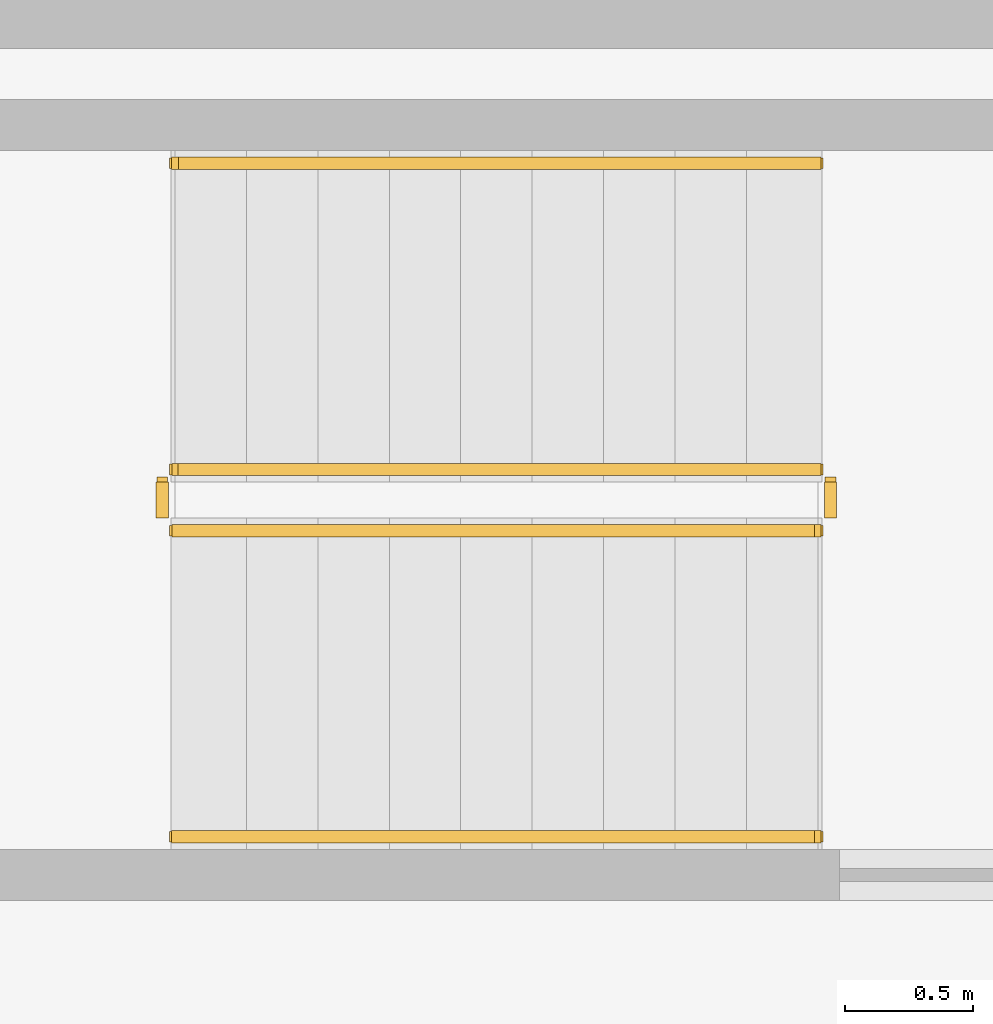
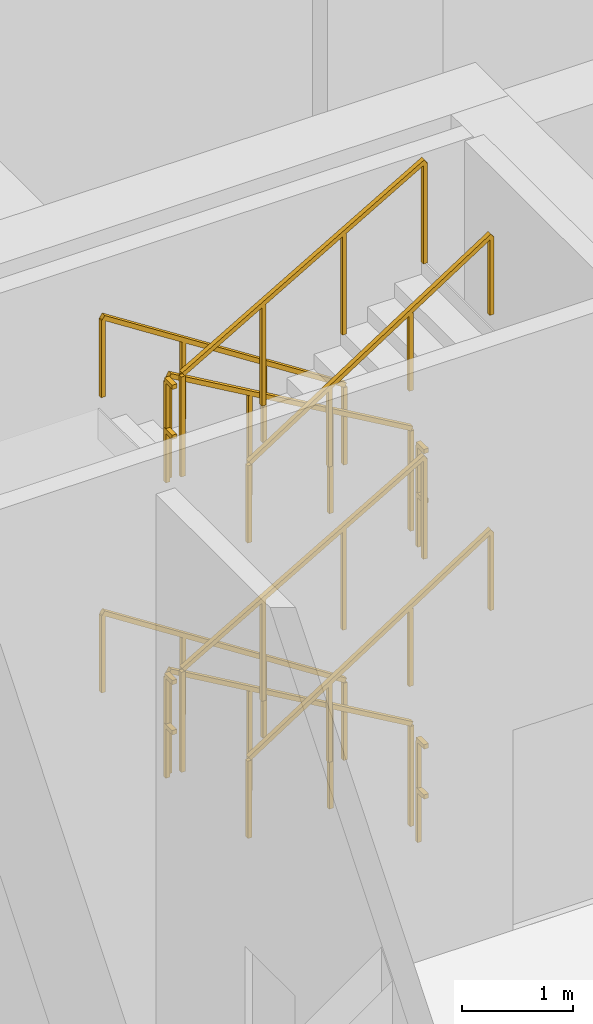
# One storey, part 12 of 13: 12 railings.
"""IFC4 building model written with IfcOpenShell, lengths in metres."""

from ifc_helpers import new_model, si_unit, derived_unit, direction, frame, origin, origin_2d, place, context, subcontext, project, spatial, rectangle, extrude, material, type_object, element, save


model = new_model("IFC4")

# Units and contexts
model_context = context("Model", 3, precision=1e-05, world=origin(), true_north=direction((0.0, 1.0)))
body_context = subcontext(model_context, "Body", "Model", "MODEL_VIEW")
ifc_project = project(units=[si_unit("LENGTHUNIT", "METRE"), si_unit("AREAUNIT", "SQUARE_METRE"), si_unit("VOLUMEUNIT", "CUBIC_METRE"), si_unit("PLANEANGLEUNIT", "RADIAN"), si_unit("MASSUNIT", "GRAM", prefix="KILO"), si_unit("THERMODYNAMICTEMPERATUREUNIT", "KELVIN"), si_unit("POWERUNIT", "WATT"), derived_unit("THERMALTRANSMITTANCEUNIT", [(si_unit("POWERUNIT", "WATT"), 1), (si_unit("AREAUNIT", "SQUARE_METRE"), -1), (si_unit("THERMODYNAMICTEMPERATUREUNIT", "KELVIN"), -1)])], contexts=[model_context])

# Site, building, storey
site_placement = place(None, origin())
site = spatial("IfcSite", under=ifc_project, at=site_placement, CompositionType="ELEMENT")
building_placement = place(site_placement, origin())
building = spatial("IfcBuilding", under=site, at=building_placement, Name="Zahravan Archway Hotel and Residences", CompositionType="ELEMENT")
storey_placement = place(building_placement, frame((0.0, 0.0, -13.0)))
storey = spatial("IfcBuildingStorey", under=building, at=storey_placement, Name="B02", CompositionType="ELEMENT", Elevation=-13.0)

# Railings
ifc_material_1 = material(Name="Painted Tubular Steel", Category="steel")
railing_type_1 = type_object("IfcRailingType", Name="RL-STG-1150", PredefinedType="GUARDRAIL", material=ifc_material_1)
railing_1_placement = place(storey_placement, frame((9.72998046875, 37.64990234375, 0.16259765625)))
element("IfcRailing", 1, at=railing_1_placement, inside=storey, type_object=railing_type_1, Name="B02 ST-B2 stair guard 1", PredefinedType="GUARDRAIL", context=body_context, shape_type="SweptSolid", body=[
    extrude(rectangle(XDim=0.048095703125, YDim=0.048095703125, at=origin_2d()), frame((0.0, 0.0, 1.1259765625), z_axis=(-0.864913338283, 0.0, 0.50192122615), x_axis=(0.0, -1.0, 0.0)), (0.0, 0.0, 1.0), 2.91357421875),
    extrude(rectangle(XDim=0.0419921875, YDim=0.0419921875, at=origin_2d()), origin(), (0.0, 0.0, 1.0), 1.101806640625),
    extrude(rectangle(XDim=0.0419921875, YDim=0.0419921875, at=origin_2d()), frame((-0.840087890625, 0.0, 0.487548828125)), (0.0, 0.0, 1.0), 1.101806640625),
    extrude(rectangle(XDim=0.0419921875, YDim=0.0419921875, at=origin_2d()), frame((-1.679931640625, 0.0, 0.974853515625)), (0.0, 0.0, 1.0), 1.101806640625),
    extrude(rectangle(XDim=0.0419921875, YDim=0.0419921875, at=origin_2d()), frame((-2.52001953125, 0.0, 1.46240234375)), (0.0, 0.0, 1.0), 1.101806640625),
])
railing_2_placement = place(storey_placement, frame((7.159912109375, 37.60009765625, 1.625)))
element("IfcRailing", 2, at=railing_2_placement, inside=storey, type_object=railing_type_1, Name="B02 ST-B2 stair guard 2", PredefinedType="GUARDRAIL", context=body_context, shape_type="SweptSolid", body=[
    extrude(rectangle(XDim=0.048095703125, YDim=0.048095703125, at=origin_2d()), frame((0.0, 0.0, 1.1259765625), z_axis=(0.0, -1.0, 0.0), x_axis=(1.0, 0.0, 0.0)), (0.0, 0.0, 1.0), 0.14013671875),
    extrude(rectangle(XDim=0.048095703125, YDim=0.048095703125, at=origin_2d()), frame((0.0, 0.0, 0.574951171875), z_axis=(0.0, -1.0, 0.0), x_axis=(1.0, 0.0, 0.0)), (0.0, 0.0, 1.0), 0.14013671875),
    extrude(rectangle(XDim=0.0419921875, YDim=0.0419921875, at=origin_2d()), origin(), (0.0, 0.0, 1.0), 1.101806640625),
])
railing_3_placement = place(storey_placement, frame((7.2099609375, 37.409912109375, 1.78759765625)))
element("IfcRailing", 3, at=railing_3_placement, inside=storey, type_object=railing_type_1, Name="B02 ST-B2 stair guard 3", PredefinedType="GUARDRAIL", context=body_context, shape_type="SweptSolid", body=[
    extrude(rectangle(XDim=0.048095703125, YDim=0.048095703125, at=origin_2d()), frame((0.0, 0.0, 1.1259765625), z_axis=(0.864913338283, 0.0, 0.50192122615), x_axis=(0.0, 1.0, 0.0)), (0.0, 0.0, 1.0), 2.91357421875),
    extrude(rectangle(XDim=0.0419921875, YDim=0.0419921875, at=origin_2d()), origin(), (0.0, 0.0, 1.0), 1.101806640625),
    extrude(rectangle(XDim=0.0419921875, YDim=0.0419921875, at=origin_2d()), frame((0.840087890625, 0.0, 0.487548828125)), (0.0, 0.0, 1.0), 1.101806640625),
    extrude(rectangle(XDim=0.0419921875, YDim=0.0419921875, at=origin_2d()), frame((1.679931640625, 0.0, 0.974853515625)), (0.0, 0.0, 1.0), 1.101806640625),
    extrude(rectangle(XDim=0.0419921875, YDim=0.0419921875, at=origin_2d()), frame((2.52001953125, 0.0, 1.46240234375)), (0.0, 0.0, 1.0), 1.101806640625),
])
railing_4_placement = place(storey_placement, frame((9.780029296875, 37.60009765625, 3.25)))
element("IfcRailing", 4, at=railing_4_placement, inside=storey, type_object=railing_type_1, Name="B02 ST-B2 stair guard 4", PredefinedType="GUARDRAIL", context=body_context, shape_type="SweptSolid", body=[
    extrude(rectangle(XDim=0.048095703125, YDim=0.048095703125, at=origin_2d()), frame((0.0, 0.0, 1.1259765625), z_axis=(0.0, -1.0, 0.0), x_axis=(1.0, 0.0, 0.0)), (0.0, 0.0, 1.0), 0.14013671875),
    extrude(rectangle(XDim=0.048095703125, YDim=0.048095703125, at=origin_2d()), frame((0.0, 0.0, 0.574951171875), z_axis=(0.0, -1.0, 0.0), x_axis=(1.0, 0.0, 0.0)), (0.0, 0.0, 1.0), 0.14013671875),
    extrude(rectangle(XDim=0.0419921875, YDim=0.0419921875, at=origin_2d()), origin(), (0.0, 0.0, 1.0), 1.101806640625),
])
railing_5_placement = place(storey_placement, frame((9.72998046875, 37.64990234375, 3.41259765625)))
element("IfcRailing", 5, at=railing_5_placement, inside=storey, type_object=railing_type_1, Name="B02 ST-B2 stair guard 5", PredefinedType="GUARDRAIL", context=body_context, shape_type="SweptSolid", body=[
    extrude(rectangle(XDim=0.048095703125, YDim=0.048095703125, at=origin_2d()), frame((0.0, 0.0, 1.1259765625), z_axis=(-0.864913338283, 0.0, 0.50192122615), x_axis=(0.0, -1.0, 0.0)), (0.0, 0.0, 1.0), 2.91357421875),
    extrude(rectangle(XDim=0.0419921875, YDim=0.0419921875, at=origin_2d()), origin(), (0.0, 0.0, 1.0), 1.101806640625),
    extrude(rectangle(XDim=0.0419921875, YDim=0.0419921875, at=origin_2d()), frame((-0.840087890625, 0.0, 0.487548828125)), (0.0, 0.0, 1.0), 1.101806640625),
    extrude(rectangle(XDim=0.0419921875, YDim=0.0419921875, at=origin_2d()), frame((-1.679931640625, 0.0, 0.974853515625)), (0.0, 0.0, 1.0), 1.101806640625),
    extrude(rectangle(XDim=0.0419921875, YDim=0.0419921875, at=origin_2d()), frame((-2.52001953125, 0.0, 1.46240234375)), (0.0, 0.0, 1.0), 1.101806640625),
])
railing_6_placement = place(storey_placement, frame((7.159912109375, 37.60009765625, 4.875)))
element("IfcRailing", 6, at=railing_6_placement, inside=storey, type_object=railing_type_1, Name="B02 ST-B2 stair guard 6", PredefinedType="GUARDRAIL", context=body_context, shape_type="SweptSolid", body=[
    extrude(rectangle(XDim=0.048095703125, YDim=0.048095703125, at=origin_2d()), frame((0.0, 0.0, 1.1259765625), z_axis=(0.0, -1.0, 0.0), x_axis=(1.0, 0.0, 0.0)), (0.0, 0.0, 1.0), 0.14013671875),
    extrude(rectangle(XDim=0.048095703125, YDim=0.048095703125, at=origin_2d()), frame((0.0, 0.0, 0.574951171875), z_axis=(0.0, -1.0, 0.0), x_axis=(1.0, 0.0, 0.0)), (0.0, 0.0, 1.0), 0.14013671875),
    extrude(rectangle(XDim=0.0419921875, YDim=0.0419921875, at=origin_2d()), origin(), (0.0, 0.0, 1.0), 1.101806640625),
])
railing_7_placement = place(storey_placement, frame((7.2099609375, 37.409912109375, 5.03759765625)))
element("IfcRailing", 7, at=railing_7_placement, inside=storey, type_object=railing_type_1, Name="B02 ST-B2 stair guard 7", PredefinedType="GUARDRAIL", context=body_context, shape_type="SweptSolid", body=[
    extrude(rectangle(XDim=0.048095703125, YDim=0.048095703125, at=origin_2d()), frame((0.0, 0.0, 1.1259765625), z_axis=(0.864913338283, 0.0, 0.50192122615), x_axis=(0.0, 1.0, 0.0)), (0.0, 0.0, 1.0), 2.91357421875),
    extrude(rectangle(XDim=0.0419921875, YDim=0.0419921875, at=origin_2d()), origin(), (0.0, 0.0, 1.0), 1.101806640625),
    extrude(rectangle(XDim=0.0419921875, YDim=0.0419921875, at=origin_2d()), frame((0.840087890625, 0.0, 0.487548828125)), (0.0, 0.0, 1.0), 1.101806640625),
    extrude(rectangle(XDim=0.0419921875, YDim=0.0419921875, at=origin_2d()), frame((1.679931640625, 0.0, 0.974853515625)), (0.0, 0.0, 1.0), 1.101806640625),
    extrude(rectangle(XDim=0.0419921875, YDim=0.0419921875, at=origin_2d()), frame((2.52001953125, 0.0, 1.46240234375)), (0.0, 0.0, 1.0), 1.101806640625),
])
railing_8_placement = place(storey_placement, frame((9.780029296875, 37.60009765625, 0.0)))
element("IfcRailing", 8, at=railing_8_placement, inside=storey, type_object=railing_type_1, Name="B02 ST-B2 stair guard 8", PredefinedType="GUARDRAIL", context=body_context, shape_type="SweptSolid", body=[
    extrude(rectangle(XDim=0.048095703125, YDim=0.048095703125, at=origin_2d()), frame((0.0, 0.0, 1.1259765625), z_axis=(0.0, -1.0, 0.0), x_axis=(1.0, 0.0, 0.0)), (0.0, 0.0, 1.0), 0.14013671875),
    extrude(rectangle(XDim=0.048095703125, YDim=0.048095703125, at=origin_2d()), frame((0.0, 0.0, 0.574951171875), z_axis=(0.0, -1.0, 0.0), x_axis=(1.0, 0.0, 0.0)), (0.0, 0.0, 1.0), 0.14013671875),
    extrude(rectangle(XDim=0.0419921875, YDim=0.0419921875, at=origin_2d()), origin(), (0.0, 0.0, 1.0), 1.101806640625),
])
ifc_material_2 = material(Name="Brushed Stainless Steel", Category="steel")
railing_type_2 = type_object("IfcRailingType", Name="RL-STH-900", PredefinedType="HANDRAIL", material=ifc_material_2)
railing_9_placement = place(storey_placement, frame((9.72998046875, 38.85009765625, 0.16259765625)))
element("IfcRailing", 9, at=railing_9_placement, inside=storey, type_object=railing_type_2, Name="B02 ST-B2 stair handrail 1", PredefinedType="HANDRAIL", context=body_context, shape_type="SweptSolid", body=[
    extrude(rectangle(XDim=0.048095703125, YDim=0.048095703125, at=origin_2d()), frame((0.0, 0.0, 0.8759765625), z_axis=(-0.840421059866, 0.0, 0.541933983188), x_axis=(0.0, -1.0, 0.0)), (0.0, 0.0, 1.0), 2.99853515625),
    extrude(rectangle(XDim=0.0419921875, YDim=0.0419921875, at=origin_2d()), origin(), (0.0, 0.0, 1.0), 0.851806640625),
    extrude(rectangle(XDim=0.0419921875, YDim=0.0419921875, at=origin_2d()), frame((-0.840087890625, 0.0, 0.541748046875)), (0.0, 0.0, 1.0), 0.851806640625),
    extrude(rectangle(XDim=0.0419921875, YDim=0.0419921875, at=origin_2d()), frame((-1.679931640625, 0.0, 1.083251953125)), (0.0, 0.0, 1.0), 0.851806640625),
    extrude(rectangle(XDim=0.0419921875, YDim=0.0419921875, at=origin_2d()), frame((-2.52001953125, 0.0, 1.625)), (0.0, 0.0, 1.0), 0.851806640625),
])
railing_10_placement = place(storey_placement, frame((7.2099609375, 36.2099609375, 1.78759765625)))
element("IfcRailing", 10, at=railing_10_placement, inside=storey, type_object=railing_type_2, Name="B02 ST-B2 stair handrail 2", PredefinedType="HANDRAIL", context=body_context, shape_type="SweptSolid", body=[
    extrude(rectangle(XDim=0.048095703125, YDim=0.048095703125, at=origin_2d()), frame((0.0, 0.0, 0.8759765625), z_axis=(0.840421059866, 0.0, 0.541933983188), x_axis=(0.0, 1.0, 0.0)), (0.0, 0.0, 1.0), 2.99853515625),
    extrude(rectangle(XDim=0.0419921875, YDim=0.0419921875, at=origin_2d()), origin(), (0.0, 0.0, 1.0), 0.851806640625),
    extrude(rectangle(XDim=0.0419921875, YDim=0.0419921875, at=origin_2d()), frame((0.840087890625, 0.0, 0.541748046875)), (0.0, 0.0, 1.0), 0.851806640625),
    extrude(rectangle(XDim=0.0419921875, YDim=0.0419921875, at=origin_2d()), frame((1.679931640625, 0.0, 1.083251953125)), (0.0, 0.0, 1.0), 0.851806640625),
    extrude(rectangle(XDim=0.0419921875, YDim=0.0419921875, at=origin_2d()), frame((2.52001953125, 0.0, 1.625)), (0.0, 0.0, 1.0), 0.851806640625),
])
railing_11_placement = place(storey_placement, frame((9.72998046875, 38.85009765625, 3.41259765625)))
element("IfcRailing", 11, at=railing_11_placement, inside=storey, type_object=railing_type_2, Name="B02 ST-B2 stair handrail 3", PredefinedType="HANDRAIL", context=body_context, shape_type="SweptSolid", body=[
    extrude(rectangle(XDim=0.048095703125, YDim=0.048095703125, at=origin_2d()), frame((0.0, 0.0, 0.8759765625), z_axis=(-0.840421059866, 0.0, 0.541933983188), x_axis=(0.0, -1.0, 0.0)), (0.0, 0.0, 1.0), 2.99853515625),
    extrude(rectangle(XDim=0.0419921875, YDim=0.0419921875, at=origin_2d()), origin(), (0.0, 0.0, 1.0), 0.851806640625),
    extrude(rectangle(XDim=0.0419921875, YDim=0.0419921875, at=origin_2d()), frame((-0.840087890625, 0.0, 0.541748046875)), (0.0, 0.0, 1.0), 0.851806640625),
    extrude(rectangle(XDim=0.0419921875, YDim=0.0419921875, at=origin_2d()), frame((-1.679931640625, 0.0, 1.083251953125)), (0.0, 0.0, 1.0), 0.851806640625),
    extrude(rectangle(XDim=0.0419921875, YDim=0.0419921875, at=origin_2d()), frame((-2.52001953125, 0.0, 1.625)), (0.0, 0.0, 1.0), 0.851806640625),
])
railing_12_placement = place(storey_placement, frame((7.2099609375, 36.2099609375, 5.03759765625)))
element("IfcRailing", 12, at=railing_12_placement, inside=storey, type_object=railing_type_2, Name="B02 ST-B2 stair handrail 4", PredefinedType="HANDRAIL", context=body_context, shape_type="SweptSolid", body=[
    extrude(rectangle(XDim=0.048095703125, YDim=0.048095703125, at=origin_2d()), frame((0.0, 0.0, 0.8759765625), z_axis=(0.840421059866, 0.0, 0.541933983188), x_axis=(0.0, 1.0, 0.0)), (0.0, 0.0, 1.0), 2.99853515625),
    extrude(rectangle(XDim=0.0419921875, YDim=0.0419921875, at=origin_2d()), origin(), (0.0, 0.0, 1.0), 0.851806640625),
    extrude(rectangle(XDim=0.0419921875, YDim=0.0419921875, at=origin_2d()), frame((0.840087890625, 0.0, 0.541748046875)), (0.0, 0.0, 1.0), 0.851806640625),
    extrude(rectangle(XDim=0.0419921875, YDim=0.0419921875, at=origin_2d()), frame((1.679931640625, 0.0, 1.083251953125)), (0.0, 0.0, 1.0), 0.851806640625),
    extrude(rectangle(XDim=0.0419921875, YDim=0.0419921875, at=origin_2d()), frame((2.52001953125, 0.0, 1.625)), (0.0, 0.0, 1.0), 0.851806640625),
])

save(model, "model.ifc")
